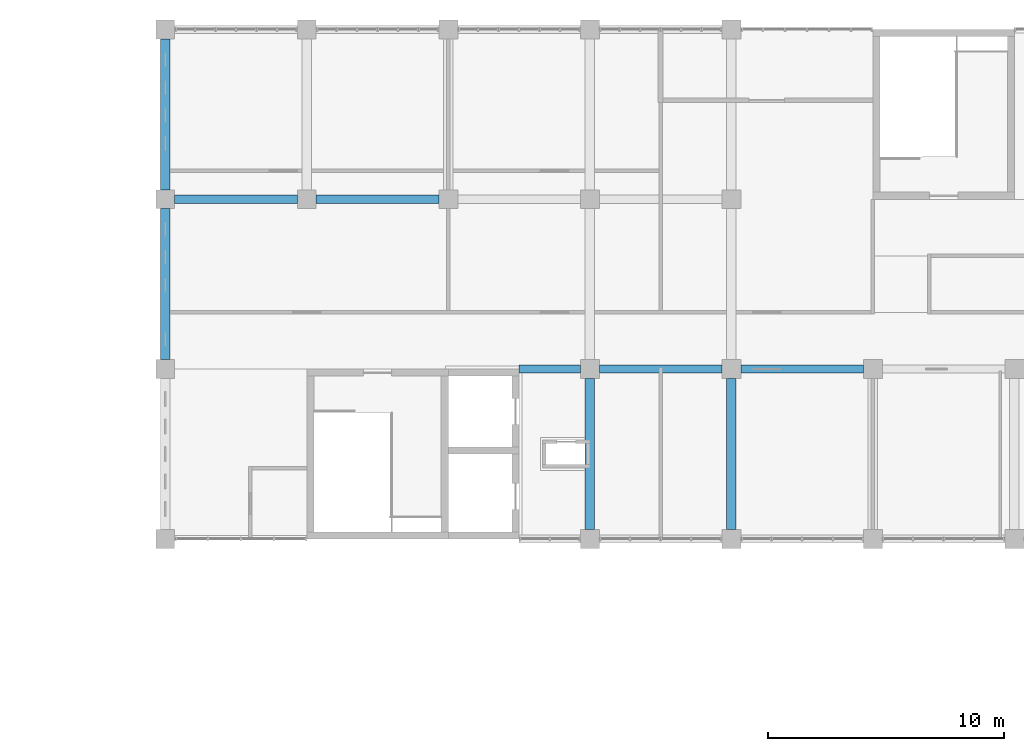
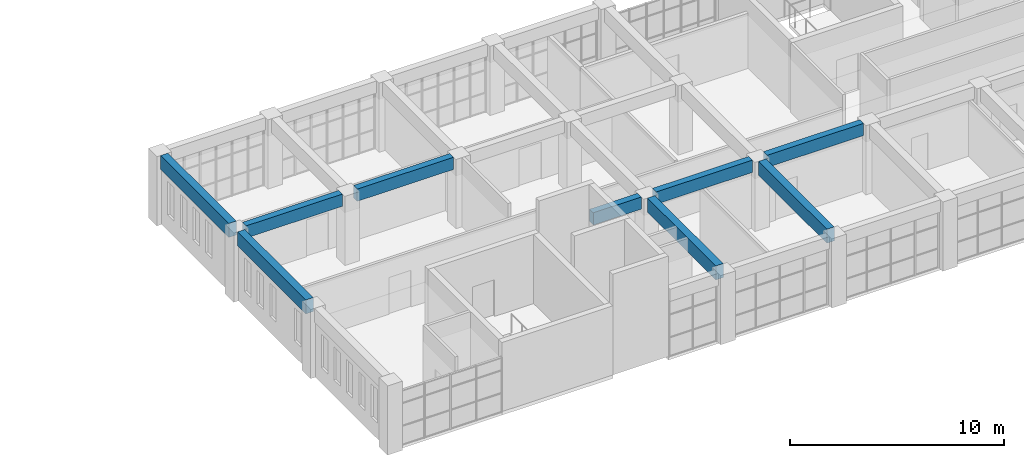
# One storey, part 6 of 51: 9 beams.
"""IFC4 building model written with IfcOpenShell, lengths in metres."""

from ifc_helpers import new_model, si_unit, direction, frame, origin, origin_2d, place, context, subcontext, project, spatial, rectangle, extrude, material, material_profile, profile_set, type_object, element, save


model = new_model("IFC4")

# Units and contexts
model_context = context("Model", 3, precision=1e-05, world=origin(), true_north=direction((0.0, 1.0)))
body_context = subcontext(model_context, "Body", "Model", "MODEL_VIEW")
ifc_project = project(units=[si_unit("LENGTHUNIT", "METRE"), si_unit("AREAUNIT", "SQUARE_METRE"), si_unit("VOLUMEUNIT", "CUBIC_METRE"), si_unit("PLANEANGLEUNIT", "RADIAN"), si_unit("MASSUNIT", "GRAM", prefix="KILO")], contexts=[model_context])

# Site, building, storey
site_placement = place(None, origin())
site = spatial("IfcSite", under=ifc_project, at=site_placement, CompositionType="ELEMENT")
building_placement = place(site_placement, origin())
building = spatial("IfcBuilding", under=site, at=building_placement, Name="Laocheng Heights Fire and Rescue Headquarters", CompositionType="ELEMENT")
storey_placement = place(building_placement, frame((0.0, 0.0, 21.0)))
storey = spatial("IfcBuildingStorey", under=building, at=storey_placement, Name="L05", CompositionType="ELEMENT", Elevation=21.0)

# Beams
ifc_material_1 = material(Name="Concrete C40", Category="concrete")
ifc_material_profile_1 = material_profile(ifc_material_1, rectangle(XDim=0.35009765625, YDim=0.699951171875, at=origin_2d()), Name="RC BEAM 350x700 HQ ROOF")
ifc_profile_set_1 = profile_set([ifc_material_profile_1], Name="Concrete C40")
beam_type_1 = type_object("IfcBeamType", Name="RC BEAM 350x700 HQ ROOF", PredefinedType="BEAM", material=ifc_profile_set_1)
beam_1_placement = place(storey_placement, frame((51.0, 57.60009765625, 3.60009765625), z_axis=(1.0, 0.0, 0.0), x_axis=(0.0, 1.0, 0.0)))
element("IfcBeam", 1, at=beam_1_placement, inside=storey, type_object=beam_type_1, Name="HQ beam L05", PredefinedType="BEAM", context=body_context, shape_type="SweptSolid", body=[
    extrude(rectangle(XDim=0.35009765625, YDim=0.699951171875, at=origin_2d()), origin(), (0.0, 0.0, 1.0), 2.60009765625),
])
for number, where, z_axis, x_axis, name in (
    (2, (54.39990234375, 57.60009765625, 3.60009765625), (1.0, 0.0, 0.0), (0.0, 1.0, 0.0), "HQ beam L05"),
    (3, (60.39990234375, 57.60009765625, 3.60009765625), (1.0, 0.0, 0.0), (0.0, 1.0, 0.0), "HQ beam L05"),
    (4, (36.39990234375, 64.800048828125, 3.60009765625), (1.0, 0.0, 0.0), (0.0, 1.0, 0.0), "HQ beam L05"),
    (5, (42.39990234375, 64.800048828125, 3.60009765625), (1.0, 0.0, 0.0), (0.0, 1.0, 0.0), "HQ beam L05"),
):
    element("IfcBeam", number, at=place(storey_placement, frame(where, z_axis=z_axis, x_axis=x_axis)), inside=storey, type_object=beam_type_1, Name=name, PredefinedType="BEAM", context=body_context, shape_type="SweptSolid", body=[
        extrude(rectangle(XDim=0.35009765625, YDim=0.699951171875, at=origin_2d()), origin(), (0.0, 0.0, 1.0), 5.2001953125),
    ])
ifc_material_2 = material(Name="Concrete C40", Category="concrete")
ifc_material_profile_2 = material_profile(ifc_material_2, rectangle(XDim=0.39990234375, YDim=0.800048828125, at=origin_2d()), Name="RC BEAM 400x800 HQ ROOF")
ifc_profile_set_2 = profile_set([ifc_material_profile_2], Name="Concrete C40")
beam_type_2 = type_object("IfcBeamType", Name="RC BEAM 400x800 HQ ROOF", PredefinedType="BEAM", material=ifc_profile_set_2)
beam_2_placement = place(storey_placement, frame((36.0, 58.0, 3.550048828125), z_axis=(0.0, 1.0, 0.0), x_axis=(-1.0, 0.0, 0.0)))
element("IfcBeam", 6, at=beam_2_placement, inside=storey, type_object=beam_type_2, Name="HQ beam L05", PredefinedType="BEAM", context=body_context, shape_type="SweptSolid", body=[
    extrude(rectangle(XDim=0.39990234375, YDim=0.800048828125, at=origin_2d()), origin(), (0.0, 0.0, 1.0), 6.39990234375),
])
beam_3_placement = place(storey_placement, frame((36.0, 65.199951171875, 3.550048828125), z_axis=(0.0, 1.0, 0.0), x_axis=(-1.0, 0.0, 0.0)))
element("IfcBeam", 7, at=beam_3_placement, inside=storey, type_object=beam_type_2, Name="HQ beam L05", PredefinedType="BEAM", context=body_context, shape_type="SweptSolid", body=[
    extrude(rectangle(XDim=0.39990234375, YDim=0.800048828125, at=origin_2d()), origin(), (0.0, 0.0, 1.0), 6.400146484375),
])
for number, where, z_axis, x_axis, name in (
    (8, (54.0, 50.800048828125, 3.550048828125), (0.0, 1.0, 0.0), (-1.0, 0.0, 0.0), "HQ beam L05"),
    (9, (60.0, 50.800048828125, 3.550048828125), (0.0, 1.0, 0.0), (-1.0, 0.0, 0.0), "HQ beam L05"),
):
    element("IfcBeam", number, at=place(storey_placement, frame(where, z_axis=z_axis, x_axis=x_axis)), inside=storey, type_object=beam_type_2, Name=name, PredefinedType="BEAM", context=body_context, shape_type="SweptSolid", body=[
        extrude(rectangle(XDim=0.39990234375, YDim=0.800048828125, at=origin_2d()), origin(), (0.0, 0.0, 1.0), 6.39990234375),
    ])

save(model, "model.ifc")
